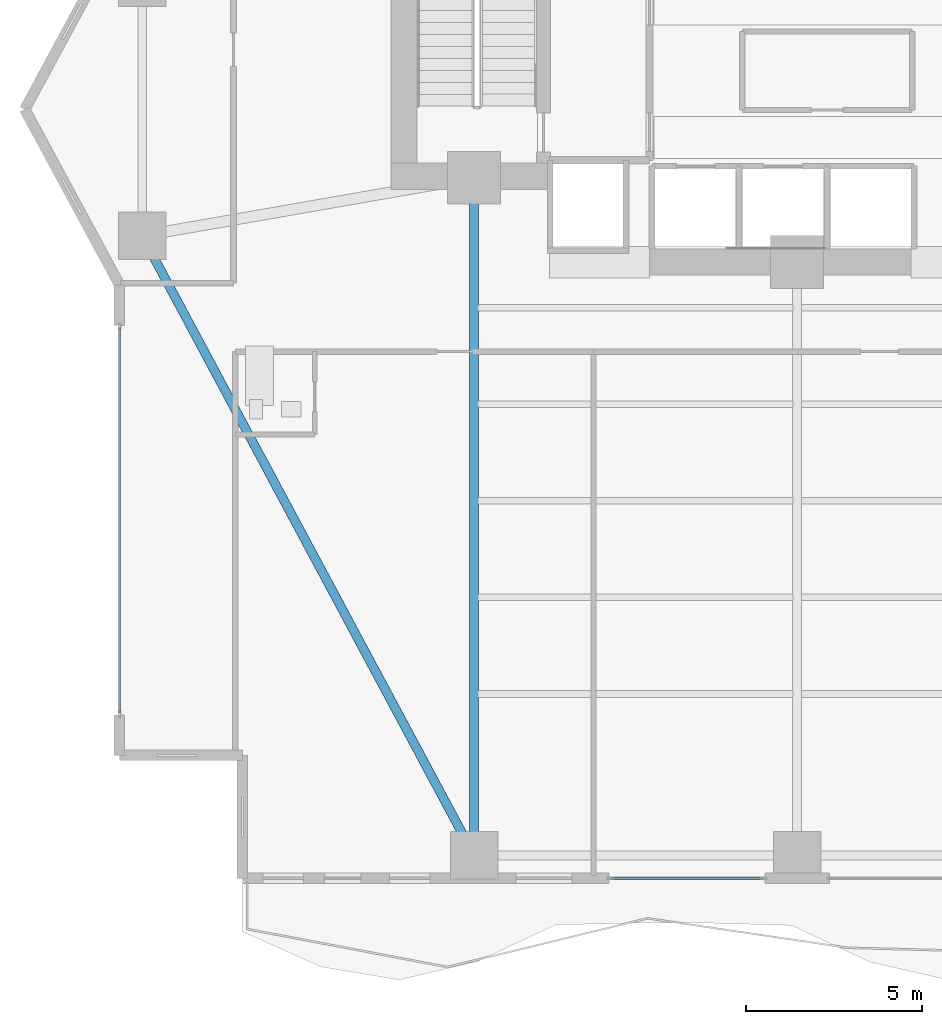
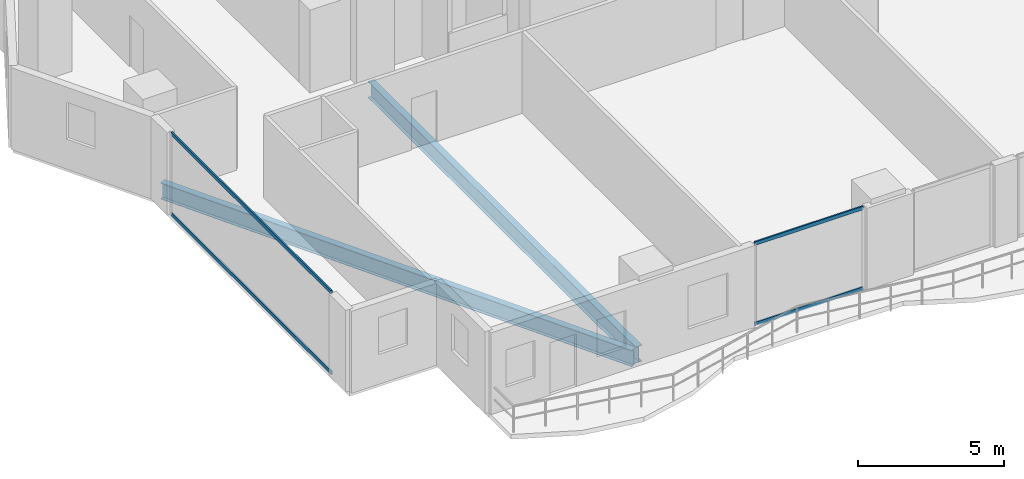
# One storey, part 3 of 30: 4 members, 2 beams, 2 elements without a shape of their own.
"""IFC4 building model written with IfcOpenShell, lengths in metres."""

from ifc_helpers import new_model, si_unit, direction, frame, origin, origin_2d, place, context, subcontext, project, spatial, hollow_rectangle, i_section, extrude, material, layer, layer_set, material_profile, profile_set, type_object, element, aggregate, save


model = new_model("IFC4")

# Units and contexts
model_context = context("Model", 3, precision=1e-05, world=origin(), true_north=direction((0.0, 1.0)))
body_context = subcontext(model_context, "Body", "Model", "MODEL_VIEW")
ifc_project = project(units=[si_unit("LENGTHUNIT", "METRE"), si_unit("AREAUNIT", "SQUARE_METRE"), si_unit("VOLUMEUNIT", "CUBIC_METRE"), si_unit("PLANEANGLEUNIT", "RADIAN"), si_unit("MASSUNIT", "GRAM", prefix="KILO")], contexts=[model_context])

# Site, building, storey
site_placement = place(None, origin())
site = spatial("IfcSite", under=ifc_project, at=site_placement, CompositionType="ELEMENT")
building_placement = place(site_placement, origin())
building = spatial("IfcBuilding", under=site, at=building_placement, Name="Zuhayl Quay Hotel", CompositionType="ELEMENT")
storey_placement = place(building_placement, frame((0.0, 0.0, 128.5)))
storey = spatial("IfcBuildingStorey", under=building, at=storey_placement, Name="L32", CompositionType="ELEMENT", Elevation=128.5)

# Beams
ifc_material_1 = material(Name="Steel ASTM A992 Grade 50", Category="steel")
ifc_material_profile_1 = material_profile(ifc_material_1, i_section(OverallWidth=0.25390625, OverallDepth=0.68310546875, WebThickness=0.012451171875, FlangeThickness=0.018798828125, at=origin_2d()), Name="W27X94")
ifc_profile_set_1 = profile_set([ifc_material_profile_1], Name="Steel ASTM A992 Grade 50")
beam_type = type_object("IfcBeamType", Name="BM_B2_W27X94", PredefinedType="BEAM", material=ifc_profile_set_1)
beam_1_placement = place(storey_placement, frame((-23.013916015625, 2.459228515625, -0.5615234375), z_axis=(0.472017301959, -0.88158928456, 0.0), x_axis=(0.88158928456, 0.472017301959, 0.0)))
element("IfcBeam", 1, at=beam_1_placement, inside=storey, type_object=beam_type, Name="L32 Floor Beam RG_L32_12", PredefinedType="BEAM", context=body_context, shape_type="SweptSolid", body=[
    extrude(i_section(OverallWidth=0.25390625, OverallDepth=0.68310546875, WebThickness=0.012451171875, FlangeThickness=0.018798828125, at=origin_2d()), origin(), (0.0, 0.0, 1.0), 19.0205078125),
])
beam_2_placement = place(storey_placement, frame((-13.800048828125, -14.25, -0.5615234375), z_axis=(0.0, 1.0, 0.0), x_axis=(-1.0, 0.0, 0.0)))
element("IfcBeam", 2, at=beam_2_placement, inside=storey, type_object=beam_type, Name="L32 Floor Beam FG_S_L32_1", PredefinedType="BEAM", context=body_context, shape_type="SweptSolid", body=[
    extrude(i_section(OverallWidth=0.25390625, OverallDepth=0.68310546875, WebThickness=0.012451171875, FlangeThickness=0.018798828125, at=origin_2d()), origin(), (0.0, 0.0, 1.0), 18.35009765625),
])

# Curtain wall, members
ifc_material_2 = material(Name="Anodised Aluminium 6063-T6", Category="aluminium")
ifc_layer = layer(ifc_material_2, 0.179931640625, Name="Anodised Aluminium 6063-T6", Category="aluminium")
ifc_layer_set = layer_set([ifc_layer], Name="Anodised Aluminium 6063-T6")
curtain_wall_type = type_object("IfcCurtainWallType", Name="CW_SYS_Z2", PredefinedType="USERDEFINED", material=ifc_layer_set)
curtain_wall_1_placement = place(storey_placement, origin())
curtain_wall_1 = element("IfcCurtainWall", 3, at=curtain_wall_1_placement, inside=storey, type_object=curtain_wall_type, Name="L32 Curtain Wall ENV_L32_E02_CW1", ObjectType="UNITISED CURTAIN WALL", PredefinedType="USERDEFINED")
ifc_material_3 = material(Name="Black-anodised aluminium 6063-T6", Category="aluminium")
ifc_material_profile_2 = material_profile(ifc_material_3, hollow_rectangle(XDim=0.06005859375, YDim=0.14990234375, WallThickness=0.00341796875, at=origin_2d()), Name="ALU150X60")
ifc_profile_set_2 = profile_set([ifc_material_profile_2], Name="Black-anodised aluminium 6063-T6")
member_type = type_object("IfcMemberType", Name="MB_CW_TRN_150", PredefinedType="USERDEFINED", material=ifc_profile_set_2)
member_1_placement = place(storey_placement, frame((-23.89990234375, -10.68505859375, 0.030029296875), z_axis=(0.0, 1.0, 0.0), x_axis=(-1.0, 0.0, 0.0)))
member_1 = element("IfcMember", 4, at=member_1_placement, type_object=member_type, Name="CW-Z2 transom 1.1", ObjectType="TRANSOM", PredefinedType="USERDEFINED", context=body_context, shape_type="SweptSolid", body=[
    extrude(hollow_rectangle(XDim=0.06005859375, YDim=0.14990234375, WallThickness=0.00341796875, at=origin_2d()), origin(), (0.0, 0.0, 1.0), 10.969970703125),
])
member_2_placement = place(storey_placement, frame((-23.89990234375, -10.68505859375, 3.39990234375), z_axis=(0.0, 1.0, 0.0), x_axis=(-1.0, 0.0, 0.0)))
member_2 = element("IfcMember", 5, at=member_2_placement, type_object=member_type, Name="CW-Z2 transom 1.2", ObjectType="TRANSOM", PredefinedType="USERDEFINED", context=body_context, shape_type="SweptSolid", body=[
    extrude(hollow_rectangle(XDim=0.06005859375, YDim=0.14990234375, WallThickness=0.00341796875, at=origin_2d()), origin(), (0.0, 0.0, 1.0), 10.969970703125),
])
aggregate(curtain_wall_1, [member_1, member_2])

curtain_wall_2_placement = place(storey_placement, origin())
curtain_wall_2 = element("IfcCurtainWall", 6, at=curtain_wall_2_placement, inside=storey, type_object=curtain_wall_type, Name="L32 Curtain Wall ENV_L32_S_CW5", ObjectType="UNITISED CURTAIN WALL", PredefinedType="USERDEFINED")
member_3_placement = place(storey_placement, frame((-5.5849609375, -15.39990234375, 0.030029296875), z_axis=(-1.0, 0.0, 0.0), x_axis=(0.0, -1.0, 0.0)))
member_3 = element("IfcMember", 7, at=member_3_placement, type_object=member_type, Name="CW-Z2 transom 1.1", ObjectType="TRANSOM", PredefinedType="USERDEFINED", context=body_context, shape_type="SweptSolid", body=[
    extrude(hollow_rectangle(XDim=0.06005859375, YDim=0.14990234375, WallThickness=0.00341796875, at=origin_2d()), origin(), (0.0, 0.0, 1.0), 4.300048828125),
])
member_4_placement = place(storey_placement, frame((-5.5849609375, -15.39990234375, 3.39990234375), z_axis=(-1.0, 0.0, 0.0), x_axis=(0.0, -1.0, 0.0)))
member_4 = element("IfcMember", 8, at=member_4_placement, type_object=member_type, Name="CW-Z2 transom 1.2", ObjectType="TRANSOM", PredefinedType="USERDEFINED", context=body_context, shape_type="SweptSolid", body=[
    extrude(hollow_rectangle(XDim=0.06005859375, YDim=0.14990234375, WallThickness=0.00341796875, at=origin_2d()), origin(), (0.0, 0.0, 1.0), 4.300048828125),
])
aggregate(curtain_wall_2, [member_3, member_4])

save(model, "model.ifc")
